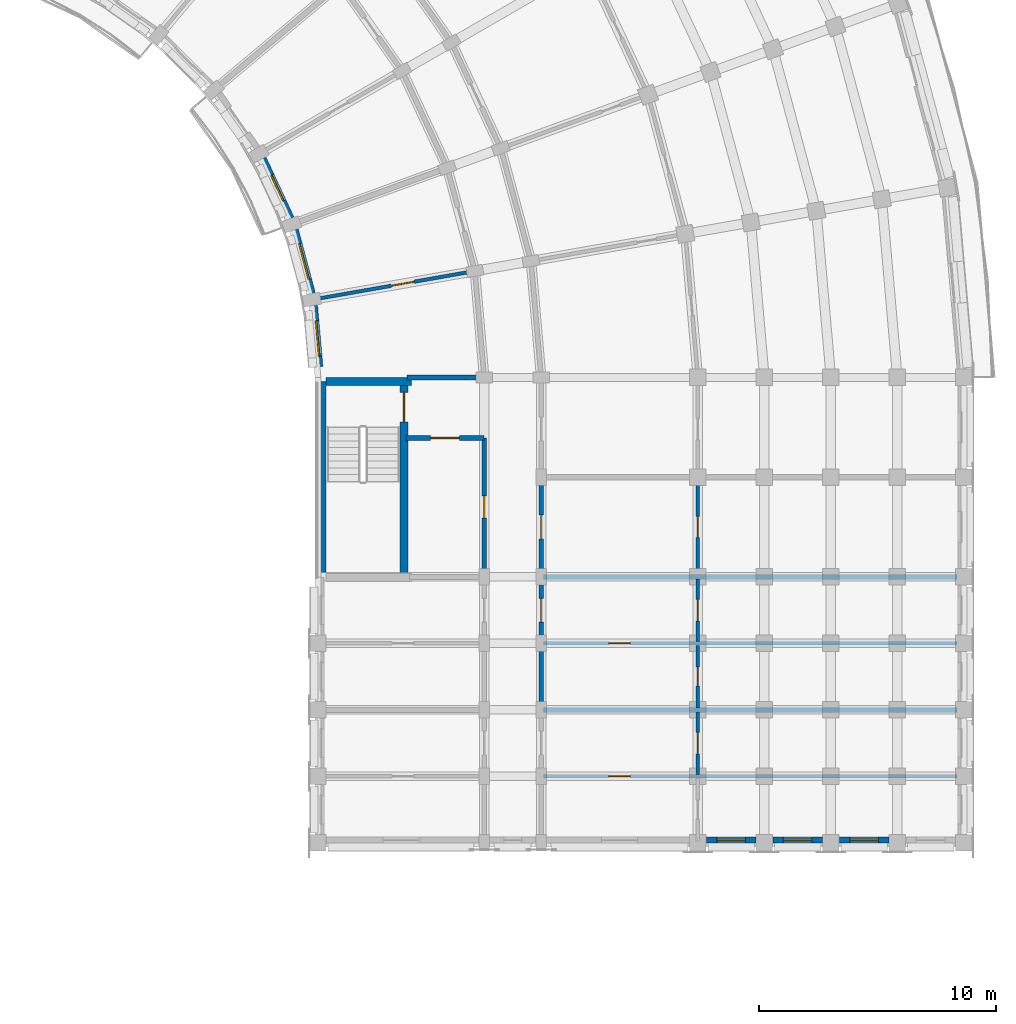
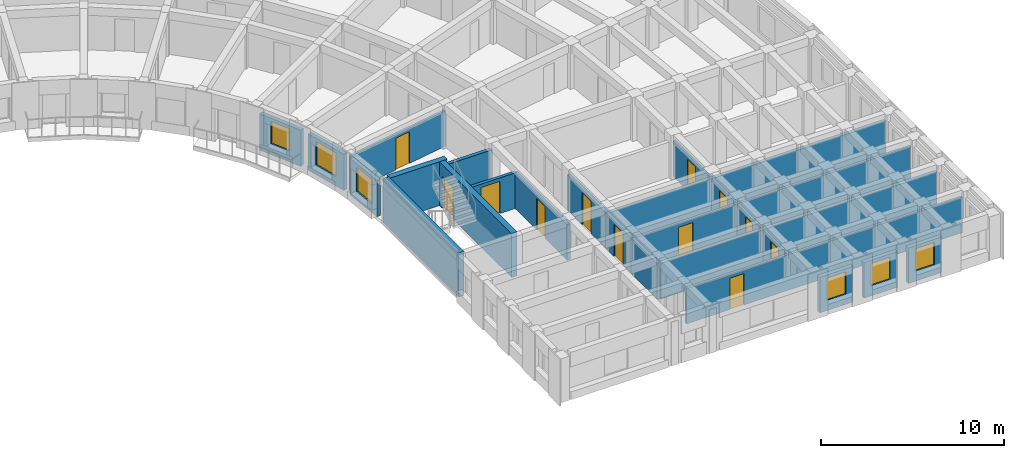
# One storey, part 33 of 57: 24 walls, 12 doors, 6 windows, 18 openings.
"""IFC4 building model written with IfcOpenShell, lengths in metres."""

from ifc_helpers import new_model, si_unit, direction, frame, frame_2d, origin, place, context, subcontext, project, spatial, rectangle, extrude, material, layer, layer_set, type_object, element, fill, save


model = new_model("IFC4")

# Units and contexts
model_context = context("Model", 3, precision=1e-05, world=origin(), true_north=direction((0.0, 1.0)))
body_context = subcontext(model_context, "Body", "Model", "MODEL_VIEW")
ifc_project = project(units=[si_unit("LENGTHUNIT", "METRE"), si_unit("AREAUNIT", "SQUARE_METRE"), si_unit("VOLUMEUNIT", "CUBIC_METRE"), si_unit("PLANEANGLEUNIT", "RADIAN"), si_unit("MASSUNIT", "GRAM", prefix="KILO")], contexts=[model_context])

# Site, building, storey
site_placement = place(None, origin())
site = spatial("IfcSite", under=ifc_project, at=site_placement, CompositionType="ELEMENT")
building_placement = place(site_placement, origin())
building = spatial("IfcBuilding", under=site, at=building_placement, Name="Kiranvali Square Residences", CompositionType="ELEMENT")
storey_placement = place(building_placement, frame((0.0, 0.0, 18.14990234375)))
storey = spatial("IfcBuildingStorey", under=building, at=storey_placement, Name="L05", CompositionType="ELEMENT", Elevation=18.14990234375)

# Wall, opening, door
ifc_material_1 = material(Name="Autoclaved aerated concrete blockwork masonry", Category="masonry")
ifc_layer_1 = layer(ifc_material_1, 0.199951171875)
ifc_layer_set_1 = layer_set([ifc_layer_1], Name="Autoclaved aerated concrete blockwork masonry")
wall_type_1 = type_object("IfcWallType", Name="WL-COR-200", PredefinedType="STANDARD", material=ifc_layer_set_1)
wall_1_placement = place(storey_placement, frame((142.300048828125, 85.25, 0.0), z_axis=(0.0, 0.0, 1.0), x_axis=(1.0, 0.0, 0.0)))
wall_1 = element("IfcWall", 1, at=wall_1_placement, inside=storey, type_object=wall_type_1, Name="L05 architectural wall WL-L05-B-S3-V", PredefinedType="STANDARD", context=body_context, shape_type="SweptSolid", body=[
    extrude(rectangle(XDim=3.300048828125, YDim=0.199951171875, at=frame_2d((1.64990234375, 0.0))), origin(), (0.0, 0.0, 1.0), 2.3720703125),
])
opening_1_placement = place(wall_1_placement, frame((1.0400390625, 0.0, 0.0)))
opening_1 = element("IfcOpeningElement", 2, at=opening_1_placement, cuts=wall_1, Name="Opening FD-COR-60", PredefinedType="OPENING", context=body_context, shape_type="SweptSolid", body=[
    extrude(rectangle(XDim=1.219970703125, YDim=2.14990234375, at=frame_2d((0.60986328125, 1.074951171875))), frame((0.0, 0.10986328125, 0.0), z_axis=(0.0, -1.0, 0.0), x_axis=(1.0, 0.0, 0.0)), (0.0, 0.0, 1.0), 0.219970703125),
])
ifc_material_2 = material(Name="Fire-rated acoustic hardwood and mineral-core door assembly", Category="wood")
door_type_1 = type_object("IfcDoorType", Name="DR-FD60-1200", OperationType="NOTDEFINED", PredefinedType="DOOR", material=ifc_material_2)
door_1_placement = place(opening_1_placement, frame((1.219970703125, 0.0, 0.0), z_axis=(0.0, 0.0, 1.0), x_axis=(-1.0, 0.0, 0.0)))
door_1 = element("IfcDoor", 3, at=door_1_placement, inside=storey, type_object=door_type_1, Name="L05 door DR-L05-1264 (DR-FD60-1200)", OperationType="SINGLE_SWING_RIGHT", OverallHeight=2.14990234375, OverallWidth=1.219970703125, PredefinedType="DOOR", context=body_context, shape_type="SweptSolid", body=[
    extrude(rectangle(XDim=1.219970703125, YDim=2.14990234375, at=frame_2d((0.60986328125, 1.074951171875))), frame((0.0, 0.02490234375, 0.0), z_axis=(0.0, -1.0, 0.0), x_axis=(1.0, 0.0, 0.0)), (0.0, 0.0, 1.0), 0.050048828125),
])
fill(opening_1, door_1)

wall_2_placement = place(storey_placement, frame((145.60009765625, 85.25, 0.0), z_axis=(0.0, 0.0, 1.0), x_axis=(0.0, -1.0, 0.0)))
wall_2 = element("IfcWall", 4, at=wall_2_placement, inside=storey, type_object=wall_type_1, Name="L05 architectural wall WL-L05-B-S3-COR", PredefinedType="STANDARD", context=body_context, shape_type="SweptSolid", body=[
    extrude(rectangle(XDim=5.800048828125, YDim=0.199951171875, at=frame_2d((2.89990234375, 0.0))), origin(), (0.0, 0.0, 1.0), 2.3720703125),
])
opening_2_placement = place(wall_2_placement, frame((2.43994140625, 0.0, 0.0)))
opening_2 = element("IfcOpeningElement", 5, at=opening_2_placement, cuts=wall_2, Name="Opening FD-SVC-120", PredefinedType="OPENING", context=body_context, shape_type="SweptSolid", body=[
    extrude(rectangle(XDim=0.919921875, YDim=2.10009765625, at=frame_2d((0.4599609375, 1.050048828125))), frame((0.0, 0.10986328125, 0.0), z_axis=(0.0, -1.0, 0.0), x_axis=(1.0, 0.0, 0.0)), (0.0, 0.0, 1.0), 0.219970703125),
])
door_type_2 = type_object("IfcDoorType", Name="DR-SVC-900", OperationType="NOTDEFINED", PredefinedType="DOOR", material=ifc_material_2)
door_2_placement = place(opening_2_placement, origin())
door_2 = element("IfcDoor", 6, at=door_2_placement, inside=storey, type_object=door_type_2, Name="L05 door DR-L05-1265 (DR-SVC-900)", OperationType="SINGLE_SWING_LEFT", OverallHeight=2.10009765625, OverallWidth=0.919921875, PredefinedType="DOOR", context=body_context, shape_type="SweptSolid", body=[
    extrude(rectangle(XDim=0.919921875, YDim=2.10009765625, at=frame_2d((0.4599609375, 1.050048828125))), frame((0.0, 0.02490234375, 0.0), z_axis=(0.0, -1.0, 0.0), x_axis=(1.0, 0.0, 0.0)), (0.0, 0.0, 1.0), 0.050048828125),
])
fill(opening_2, door_2)

wall_3_placement = place(storey_placement, frame((148.0, 83.60009765625, 0.0), z_axis=(0.0, 0.0, 1.0), x_axis=(0.0, -1.0, 0.0)))
wall_3 = element("IfcWall", 7, at=wall_3_placement, inside=storey, type_object=wall_type_1, Name="L05 architectural wall WL-L05-B-A2CF-C1", PredefinedType="STANDARD", context=body_context, shape_type="SweptSolid", body=[
    extrude(rectangle(XDim=4.2001953125, YDim=0.199951171875, at=frame_2d((2.10009765625, 0.0))), origin(), (0.0, 0.0, 1.0), 2.3720703125),
])
opening_3_placement = place(wall_3_placement, frame((1.60009765625, 0.0, 0.0)))
opening_3 = element("IfcOpeningElement", 8, at=opening_3_placement, cuts=wall_3, Name="Opening FD-APT-60", PredefinedType="OPENING", context=body_context, shape_type="SweptSolid", body=[
    extrude(rectangle(XDim=1.0, YDim=2.14990234375, at=frame_2d((0.5, 1.074951171875))), frame((0.0, 0.10986328125, 0.0), z_axis=(0.0, -1.0, 0.0), x_axis=(1.0, 0.0, 0.0)), (0.0, 0.0, 1.0), 0.219970703125),
])
door_type_3 = type_object("IfcDoorType", Name="DR-APT-1000", OperationType="NOTDEFINED", PredefinedType="DOOR", material=ifc_material_2)
door_3_placement = place(opening_3_placement, frame((1.0, 0.0, 0.0), z_axis=(0.0, 0.0, 1.0), x_axis=(-1.0, 0.0, 0.0)))
door_3 = element("IfcDoor", 9, at=door_3_placement, inside=storey, type_object=door_type_3, Name="L05 door DR-L05-1312 (DR-APT-1000)", OperationType="SINGLE_SWING_RIGHT", OverallHeight=2.14990234375, OverallWidth=1.0, PredefinedType="DOOR", context=body_context, shape_type="SweptSolid", body=[
    extrude(rectangle(XDim=1.0, YDim=2.14990234375, at=frame_2d((0.5, 1.074951171875))), frame((0.0, 0.02490234375, 0.0), z_axis=(0.0, -1.0, 0.0), x_axis=(1.0, 0.0, 0.0)), (0.0, 0.0, 1.0), 0.050048828125),
])
fill(opening_3, door_3)

wall_4_placement = place(storey_placement, frame((148.0, 79.39990234375, 0.0), z_axis=(0.0, 0.0, 1.0), x_axis=(0.0, -1.0, 0.0)))
wall_4 = element("IfcWall", 10, at=wall_4_placement, inside=storey, type_object=wall_type_1, Name="L05 architectural wall WL-L05-B-A2CO-0", PredefinedType="STANDARD", context=body_context, shape_type="SweptSolid", body=[
    extrude(rectangle(XDim=2.7998046875, YDim=0.199951171875, at=frame_2d((1.39990234375, 0.0))), origin(), (0.0, 0.0, 1.0), 2.3720703125),
])
opening_4_placement = place(wall_4_placement, frame((0.89990234375, 0.0, 0.0)))
opening_4 = element("IfcOpeningElement", 11, at=opening_4_placement, cuts=wall_4, Name="Opening FD-APT-60", PredefinedType="OPENING", context=body_context, shape_type="SweptSolid", body=[
    extrude(rectangle(XDim=1.0, YDim=2.14990234375, at=frame_2d((0.5, 1.074951171875))), frame((0.0, 0.10986328125, 0.0), z_axis=(0.0, -1.0, 0.0), x_axis=(1.0, 0.0, 0.0)), (0.0, 0.0, 1.0), 0.219970703125),
])
door_4_placement = place(opening_4_placement, frame((1.0, 0.0, 0.0), z_axis=(0.0, 0.0, 1.0), x_axis=(-1.0, 0.0, 0.0)))
door_4 = element("IfcDoor", 12, at=door_4_placement, inside=storey, type_object=door_type_3, Name="L05 door DR-L05-1316 (DR-APT-1000)", OperationType="SINGLE_SWING_RIGHT", OverallHeight=2.14990234375, OverallWidth=1.0, PredefinedType="DOOR", context=body_context, shape_type="SweptSolid", body=[
    extrude(rectangle(XDim=1.0, YDim=2.14990234375, at=frame_2d((0.5, 1.074951171875))), frame((0.0, 0.02490234375, 0.0), z_axis=(0.0, -1.0, 0.0), x_axis=(1.0, 0.0, 0.0)), (0.0, 0.0, 1.0), 0.050048828125),
])
fill(opening_4, door_4)

# Walls
wall_5_placement = place(storey_placement, frame((148.0, 76.60009765625, 0.0), z_axis=(0.0, 0.0, 1.0), x_axis=(0.0, -1.0, 0.0)))
element("IfcWall", 13, at=wall_5_placement, inside=storey, type_object=wall_type_1, Name="L05 architectural wall WL-L05-B-A2CO-1", PredefinedType="STANDARD", context=body_context, shape_type="SweptSolid", body=[
    extrude(rectangle(XDim=2.800048828125, YDim=0.199951171875, at=frame_2d((1.39990234375, 0.0))), origin(), (0.0, 0.0, 1.0), 2.3720703125),
])
ifc_layer_2 = layer(ifc_material_1, 0.219970703125)
ifc_layer_set_2 = layer_set([ifc_layer_2], Name="Autoclaved aerated concrete blockwork masonry")
wall_type_2 = type_object("IfcWallType", Name="WL-DEM-220", PredefinedType="STANDARD", material=ifc_layer_set_2)
wall_6_placement = place(storey_placement, frame((142.35009765625, 87.800048828125, 0.0), z_axis=(0.0, 0.0, 1.0), x_axis=(1.0, 0.0, 0.0)))
element("IfcWall", 14, at=wall_6_placement, inside=storey, type_object=wall_type_2, Name="L05 architectural wall WL-L05-B-RADI-9", PredefinedType="STANDARD", context=body_context, shape_type="SweptSolid", body=[
    extrude(rectangle(XDim=3.199951171875, YDim=0.219970703125, at=frame_2d((1.60009765625, 0.0))), origin(), (0.0, 0.0, 1.0), 2.3720703125),
])
for number, where, z_axis, x_axis, name in (
    (15, (148.10009765625, 79.39990234375, 0.0), (0.0, 0.0, 1.0), (1.0, 0.0, 0.0), "L05 architectural wall WL-L05-B-A2TO-0"),
    (16, (148.10009765625, 73.800048828125, 0.0), (0.0, 0.0, 1.0), (1.0, 0.0, 0.0), "L05 architectural wall WL-L05-B-A2TO-2"),
):
    element("IfcWall", number, at=place(storey_placement, frame(where, z_axis=z_axis, x_axis=x_axis)), inside=storey, type_object=wall_type_2, Name=name, PredefinedType="STANDARD", context=body_context, shape_type="SweptSolid", body=[
        extrude(rectangle(XDim=17.419921875, YDim=0.219970703125, at=frame_2d((8.7099609375, 0.0))), origin(), (0.0, 0.0, 1.0), 2.3720703125),
    ])

# Wall, opening, window
ifc_material_3 = material(Name="Breathable lime-rendered clay brick masonry", Category="masonry")
ifc_layer_3 = layer(ifc_material_3, 0.25)
ifc_layer_set_3 = layer_set([ifc_layer_3], Name="Breathable lime-rendered clay brick masonry")
wall_type_3 = type_object("IfcWallType", Name="WL-EXT-250", PredefinedType="STANDARD", material=ifc_layer_set_3)
wall_7_placement = place(storey_placement, frame((136.3017578125, 97.02294921875, 0.0), z_axis=(0.0, 0.0, 1.0), x_axis=(0.422649007088, -0.906293449611, 0.0)))
wall_7 = element("IfcWall", 17, at=wall_7_placement, inside=storey, type_object=wall_type_3, Name="L05 exterior wall B-L05-GDN-06", PredefinedType="STANDARD", context=body_context, shape_type="SweptSolid", body=[
    extrude(rectangle(XDim=2.769775390625, YDim=0.25, at=frame_2d((1.384765625, 0.0))), origin(), (0.0, 0.0, 1.0), 2.422119140625),
])
opening_5_placement = place(wall_7_placement, frame((0.784912109375, 0.0, 0.721923828125)))
opening_5 = element("IfcOpeningElement", 18, at=opening_5_placement, cuts=wall_7, Name="Opening W-06", PredefinedType="OPENING", context=body_context, shape_type="SweptSolid", body=[
    extrude(rectangle(XDim=1.199951171875, YDim=1.5, at=frame_2d((0.60009765625, 0.75))), frame((0.0, 0.135009765625, 0.0), z_axis=(0.0, -1.0, 0.0), x_axis=(1.0, 0.0, 0.0)), (0.0, 0.0, 1.0), 0.27001953125),
])
ifc_material_4 = material(Name="Solar-control low-e double glazing", Category="glass")
window_type_1 = type_object("IfcWindowType", Name="WIN-RES-1200x1500", PartitioningType="SINGLE_PANEL", PredefinedType="WINDOW", material=ifc_material_4)
window_1_placement = place(opening_5_placement, origin())
window_1 = element("IfcWindow", 19, at=window_1_placement, inside=storey, type_object=window_type_1, Name="L05 recessed window B-L05-GDN-06", OverallHeight=1.5, OverallWidth=1.199951171875, PartitioningType="SINGLE_PANEL", PredefinedType="WINDOW", context=body_context, shape_type="SweptSolid", body=[
    extrude(rectangle(XDim=1.199951171875, YDim=1.5, at=frame_2d((0.60009765625, 0.75))), frame((0.0, 0.030029296875, 0.0), z_axis=(0.0, -1.0, 0.0), x_axis=(1.0, 0.0, 0.0)), (0.0, 0.0, 1.0), 0.06005859375),
])
fill(opening_5, window_1)

wall_8_placement = place(storey_placement, frame((137.652587890625, 94.017333984375, 0.0), z_axis=(0.0, 0.0, 1.0), x_axis=(0.25878161084, -0.965935855992, 0.0)))
wall_8 = element("IfcWall", 20, at=wall_8_placement, inside=storey, type_object=wall_type_3, Name="L05 exterior wall B-L05-GDN-07", PredefinedType="STANDARD", context=body_context, shape_type="SweptSolid", body=[
    extrude(rectangle(XDim=2.769775390625, YDim=0.25, at=frame_2d((1.384765625, 0.0))), origin(), (0.0, 0.0, 1.0), 2.422119140625),
])
opening_6_placement = place(wall_8_placement, frame((0.60986328125, 0.0, 0.6220703125)))
opening_6 = element("IfcOpeningElement", 21, at=opening_6_placement, cuts=wall_8, Name="Opening W-18", PredefinedType="OPENING", context=body_context, shape_type="SweptSolid", body=[
    extrude(rectangle(XDim=1.550048828125, YDim=1.60009765625, at=frame_2d((0.77490234375, 0.800048828125))), frame((0.0, 0.135009765625, 0.0), z_axis=(0.0, -1.0, 0.0), x_axis=(1.0, 0.0, 0.0)), (0.0, 0.0, 1.0), 0.27001953125),
])
window_type_2 = type_object("IfcWindowType", Name="WIN-GDN-1550x1600", PartitioningType="DOUBLE_PANEL_VERTICAL", PredefinedType="WINDOW", material=ifc_material_4)
window_2_placement = place(opening_6_placement, origin())
window_2 = element("IfcWindow", 22, at=window_2_placement, inside=storey, type_object=window_type_2, Name="L05 recessed window B-L05-GDN-07", OverallHeight=1.60009765625, OverallWidth=1.550048828125, PartitioningType="DOUBLE_PANEL_VERTICAL", PredefinedType="WINDOW", context=body_context, shape_type="SweptSolid", body=[
    extrude(rectangle(XDim=1.550048828125, YDim=1.60009765625, at=frame_2d((0.77490234375, 0.800048828125))), frame((0.0, 0.030029296875, 0.0), z_axis=(0.0, -1.0, 0.0), x_axis=(1.0, 0.0, 0.0)), (0.0, 0.0, 1.0), 0.06005859375),
])
fill(opening_6, window_2)

wall_9_placement = place(storey_placement, frame((138.4609375, 90.82275390625, 0.0), z_axis=(0.0, 0.0, 1.0), x_axis=(0.087229084652, -0.996188278786, 0.0)))
wall_9 = element("IfcWall", 23, at=wall_9_placement, inside=storey, type_object=wall_type_3, Name="L05 exterior wall B-L05-GDN-08", PredefinedType="STANDARD", context=body_context, shape_type="SweptSolid", body=[
    extrude(rectangle(XDim=2.583251953125, YDim=0.25, at=frame_2d((1.29150390625, 0.0))), origin(), (0.0, 0.0, 1.0), 2.422119140625),
])
opening_7_placement = place(wall_9_placement, frame((0.635009765625, 0.0, 0.572021484375)))
opening_7 = element("IfcOpeningElement", 24, at=opening_7_placement, cuts=wall_9, Name="Opening W-05", PredefinedType="OPENING", context=body_context, shape_type="SweptSolid", body=[
    extrude(rectangle(XDim=1.5, YDim=1.64990234375, at=frame_2d((0.75, 0.824951171875))), frame((0.0, 0.135009765625, 0.0), z_axis=(0.0, -1.0, 0.0), x_axis=(1.0, 0.0, 0.0)), (0.0, 0.0, 1.0), 0.27001953125),
])
window_type_3 = type_object("IfcWindowType", Name="WIN-RES-1500x1650", PartitioningType="DOUBLE_PANEL_VERTICAL", PredefinedType="WINDOW", material=ifc_material_4)
window_3_placement = place(opening_7_placement, origin())
window_3 = element("IfcWindow", 25, at=window_3_placement, inside=storey, type_object=window_type_3, Name="L05 recessed window B-L05-GDN-08", OverallHeight=1.64990234375, OverallWidth=1.5, PartitioningType="DOUBLE_PANEL_VERTICAL", PredefinedType="WINDOW", context=body_context, shape_type="SweptSolid", body=[
    extrude(rectangle(XDim=1.5, YDim=1.64990234375, at=frame_2d((0.75, 0.824951171875))), frame((0.0, 0.030029296875, 0.0), z_axis=(0.0, -1.0, 0.0), x_axis=(1.0, 0.0, 0.0)), (0.0, 0.0, 1.0), 0.06005859375),
])
fill(opening_7, window_3)

wall_10_placement = place(storey_placement, frame((154.95361328125, 68.324951171875, 0.0), z_axis=(0.0, 0.0, 1.0), x_axis=(1.0, 0.0, 0.0)))
wall_10 = element("IfcWall", 26, at=wall_10_placement, inside=storey, type_object=wall_type_3, Name="L05 exterior wall B-L05-A2END-3", PredefinedType="STANDARD", context=body_context, shape_type="SweptSolid", body=[
    extrude(rectangle(XDim=2.0927734375, YDim=0.25, at=frame_2d((1.04638671875, 0.0))), origin(), (0.0, 0.0, 1.0), 2.3720703125),
])
opening_8_placement = place(wall_10_placement, frame((0.446533203125, 0.0, 0.672119140625)))
opening_8 = element("IfcOpeningElement", 27, at=opening_8_placement, cuts=wall_10, Name="Opening W-06", PredefinedType="OPENING", context=body_context, shape_type="SweptSolid", body=[
    extrude(rectangle(XDim=1.199951171875, YDim=1.5, at=frame_2d((0.60009765625, 0.75))), frame((0.0, 0.135009765625, 0.0), z_axis=(0.0, -1.0, 0.0), x_axis=(1.0, 0.0, 0.0)), (0.0, 0.0, 1.0), 0.27001953125),
])
window_4_placement = place(opening_8_placement, origin())
window_4 = element("IfcWindow", 28, at=window_4_placement, inside=storey, type_object=window_type_1, Name="L05 recessed window B-L05-A2END-3", OverallHeight=1.5, OverallWidth=1.199951171875, PartitioningType="SINGLE_PANEL", PredefinedType="WINDOW", context=body_context, shape_type="SweptSolid", body=[
    extrude(rectangle(XDim=1.199951171875, YDim=1.5, at=frame_2d((0.60009765625, 0.75))), frame((0.0, 0.030029296875, 0.0), z_axis=(0.0, -1.0, 0.0), x_axis=(1.0, 0.0, 0.0)), (0.0, 0.0, 1.0), 0.06005859375),
])
fill(opening_8, window_4)

wall_11_placement = place(storey_placement, frame((157.75341796875, 68.324951171875, 0.0), z_axis=(0.0, 0.0, 1.0), x_axis=(1.0, 0.0, 0.0)))
wall_11 = element("IfcWall", 29, at=wall_11_placement, inside=storey, type_object=wall_type_3, Name="L05 exterior wall B-L05-A2END-4", PredefinedType="STANDARD", context=body_context, shape_type="SweptSolid", body=[
    extrude(rectangle(XDim=2.093017578125, YDim=0.25, at=frame_2d((1.04638671875, 0.0))), origin(), (0.0, 0.0, 1.0), 2.3720703125),
])
opening_9_placement = place(wall_11_placement, frame((0.446533203125, 0.0, 0.672119140625)))
opening_9 = element("IfcOpeningElement", 30, at=opening_9_placement, cuts=wall_11, Name="Opening W-06", PredefinedType="OPENING", context=body_context, shape_type="SweptSolid", body=[
    extrude(rectangle(XDim=1.199951171875, YDim=1.5, at=frame_2d((0.60009765625, 0.75))), frame((0.0, 0.135009765625, 0.0), z_axis=(0.0, -1.0, 0.0), x_axis=(1.0, 0.0, 0.0)), (0.0, 0.0, 1.0), 0.27001953125),
])
window_5_placement = place(opening_9_placement, origin())
window_5 = element("IfcWindow", 31, at=window_5_placement, inside=storey, type_object=window_type_1, Name="L05 recessed window B-L05-A2END-4", OverallHeight=1.5, OverallWidth=1.199951171875, PartitioningType="SINGLE_PANEL", PredefinedType="WINDOW", context=body_context, shape_type="SweptSolid", body=[
    extrude(rectangle(XDim=1.199951171875, YDim=1.5, at=frame_2d((0.60009765625, 0.75))), frame((0.0, 0.030029296875, 0.0), z_axis=(0.0, -1.0, 0.0), x_axis=(1.0, 0.0, 0.0)), (0.0, 0.0, 1.0), 0.06005859375),
])
fill(opening_9, window_5)

wall_12_placement = place(storey_placement, frame((160.553466796875, 68.324951171875, 0.0), z_axis=(0.0, 0.0, 1.0), x_axis=(1.0, 0.0, 0.0)))
wall_12 = element("IfcWall", 32, at=wall_12_placement, inside=storey, type_object=wall_type_3, Name="L05 exterior wall B-L05-A2END-5", PredefinedType="STANDARD", context=body_context, shape_type="SweptSolid", body=[
    extrude(rectangle(XDim=2.093017578125, YDim=0.25, at=frame_2d((1.04638671875, 0.0))), origin(), (0.0, 0.0, 1.0), 2.3720703125),
])
opening_10_placement = place(wall_12_placement, frame((0.446533203125, 0.0, 0.672119140625)))
opening_10 = element("IfcOpeningElement", 33, at=opening_10_placement, cuts=wall_12, Name="Opening W-06", PredefinedType="OPENING", context=body_context, shape_type="SweptSolid", body=[
    extrude(rectangle(XDim=1.199951171875, YDim=1.5, at=frame_2d((0.60009765625, 0.75))), frame((0.0, 0.135009765625, 0.0), z_axis=(0.0, -1.0, 0.0), x_axis=(1.0, 0.0, 0.0)), (0.0, 0.0, 1.0), 0.27001953125),
])
window_6_placement = place(opening_10_placement, origin())
window_6 = element("IfcWindow", 34, at=window_6_placement, inside=storey, type_object=window_type_1, Name="L05 recessed window B-L05-A2END-5", OverallHeight=1.5, OverallWidth=1.199951171875, PartitioningType="SINGLE_PANEL", PredefinedType="WINDOW", context=body_context, shape_type="SweptSolid", body=[
    extrude(rectangle(XDim=1.199951171875, YDim=1.5, at=frame_2d((0.60009765625, 0.75))), frame((0.0, 0.030029296875, 0.0), z_axis=(0.0, -1.0, 0.0), x_axis=(1.0, 0.0, 0.0)), (0.0, 0.0, 1.0), 0.06005859375),
])
fill(opening_10, window_6)

# Wall, opening, door
ifc_material_5 = material(Name="Acoustic gypsum board drylined partition", Category="gypsum")
ifc_layer_4 = layer(ifc_material_5, 0.14990234375)
ifc_layer_set_4 = layer_set([ifc_layer_4], Name="Acoustic gypsum board drylined partition")
wall_type_4 = type_object("IfcWallType", Name="WL-PRT-150", PredefinedType="PARTITIONING", material=ifc_layer_set_4)
wall_13_placement = place(storey_placement, frame((138.51123046875, 91.099365234375, 0.0), z_axis=(0.0, 0.0, 1.0), x_axis=(0.984807944945, 0.173647089161, 0.0)))
wall_13 = element("IfcWall", 35, at=wall_13_placement, inside=storey, type_object=wall_type_4, Name="L05 architectural wall WL-L05-B-RADI-8", PredefinedType="PARTITIONING", context=body_context, shape_type="SweptSolid", body=[
    extrude(rectangle(XDim=6.75, YDim=0.14990234375, at=frame_2d((3.375, 0.0))), origin(), (0.0, 0.0, 1.0), 2.3720703125),
])
opening_11_placement = place(wall_13_placement, frame((3.222412109375, 0.0, 0.0)))
opening_11 = element("IfcOpeningElement", 36, at=opening_11_placement, cuts=wall_13, Name="Opening ID-3", PredefinedType="OPENING", context=body_context, shape_type="SweptSolid", body=[
    extrude(rectangle(XDim=0.97998046875, YDim=2.1201171875, at=frame_2d((0.489990234375, 1.06005859375))), frame((0.0, 0.0849609375, 0.0), z_axis=(0.0, -1.0, 0.0), x_axis=(1.0, 0.0, 0.0)), (0.0, 0.0, 1.0), 0.169921875),
])
ifc_material_6 = material(Name="Solid seasoned teak hardwood joinery", Category="wood")
door_type_4 = type_object("IfcDoorType", Name="DR-INT-980", OperationType="NOTDEFINED", PredefinedType="DOOR", material=ifc_material_6)
door_5_placement = place(opening_11_placement, origin())
door_5 = element("IfcDoor", 37, at=door_5_placement, inside=storey, type_object=door_type_4, Name="L05 door DR-L05-1291 (DR-INT-980)", OperationType="SINGLE_SWING_LEFT", OverallHeight=2.1201171875, OverallWidth=0.97998046875, PredefinedType="DOOR", context=body_context, shape_type="SweptSolid", body=[
    extrude(rectangle(XDim=0.97998046875, YDim=2.1201171875, at=frame_2d((0.489990234375, 1.06005859375))), frame((0.0, 0.02490234375, 0.0), z_axis=(0.0, -1.0, 0.0), x_axis=(1.0, 0.0, 0.0)), (0.0, 0.0, 1.0), 0.050048828125),
])
fill(opening_11, door_5)

wall_14_placement = place(storey_placement, frame((154.60009765625, 83.52001953125, 0.0), z_axis=(0.0, 0.0, 1.0), x_axis=(0.0, -1.0, 0.0)))
wall_14 = element("IfcWall", 38, at=wall_14_placement, inside=storey, type_object=wall_type_4, Name="L05 architectural wall WL-L05-B-A2CF-SP1", PredefinedType="PARTITIONING", context=body_context, shape_type="SweptSolid", body=[
    extrude(rectangle(XDim=4.0400390625, YDim=0.14990234375, at=frame_2d((2.02001953125, 0.0))), origin(), (0.0, 0.0, 1.0), 2.3720703125),
])
opening_12_placement = place(wall_14_placement, frame((1.570068359375, 0.0, 0.0)))
opening_12 = element("IfcOpeningElement", 39, at=opening_12_placement, cuts=wall_14, Name="Opening ID-1", PredefinedType="OPENING", context=body_context, shape_type="SweptSolid", body=[
    extrude(rectangle(XDim=0.89990234375, YDim=2.10009765625, at=frame_2d((0.449951171875, 1.050048828125))), frame((0.0, 0.0849609375, 0.0), z_axis=(0.0, -1.0, 0.0), x_axis=(1.0, 0.0, 0.0)), (0.0, 0.0, 1.0), 0.169921875),
])
door_type_5 = type_object("IfcDoorType", Name="DR-INT-900", OperationType="NOTDEFINED", PredefinedType="DOOR", material=ifc_material_6)
door_6_placement = place(opening_12_placement, origin())
door_6 = element("IfcDoor", 40, at=door_6_placement, inside=storey, type_object=door_type_5, Name="L05 door DR-L05-1313 (DR-INT-900)", OperationType="SINGLE_SWING_LEFT", OverallHeight=2.10009765625, OverallWidth=0.89990234375, PredefinedType="DOOR", context=body_context, shape_type="SweptSolid", body=[
    extrude(rectangle(XDim=0.89990234375, YDim=2.10009765625, at=frame_2d((0.449951171875, 1.050048828125))), frame((0.0, 0.02490234375, 0.0), z_axis=(0.0, -1.0, 0.0), x_axis=(1.0, 0.0, 0.0)), (0.0, 0.0, 1.0), 0.050048828125),
])
fill(opening_12, door_6)

wall_15_placement = place(storey_placement, frame((148.10009765625, 76.60009765625, 0.0), z_axis=(0.0, 0.0, 1.0), x_axis=(1.0, 0.0, 0.0)))
wall_15 = element("IfcWall", 41, at=wall_15_placement, inside=storey, type_object=wall_type_4, Name="L05 architectural wall WL-L05-B-A2TO-1", PredefinedType="PARTITIONING", context=body_context, shape_type="SweptSolid", body=[
    extrude(rectangle(XDim=17.419921875, YDim=0.14990234375, at=frame_2d((8.7099609375, 0.0))), origin(), (0.0, 0.0, 1.0), 2.3720703125),
])
opening_13_placement = place(wall_15_placement, frame((2.75, 0.0, 0.0)))
opening_13 = element("IfcOpeningElement", 42, at=opening_13_placement, cuts=wall_15, Name="Opening ID-1", PredefinedType="OPENING", context=body_context, shape_type="SweptSolid", body=[
    extrude(rectangle(XDim=0.89990234375, YDim=2.10009765625, at=frame_2d((0.449951171875, 1.050048828125))), frame((0.0, 0.0849609375, 0.0), z_axis=(0.0, -1.0, 0.0), x_axis=(1.0, 0.0, 0.0)), (0.0, 0.0, 1.0), 0.169921875),
])
door_7_placement = place(opening_13_placement, origin())
door_7 = element("IfcDoor", 43, at=door_7_placement, inside=storey, type_object=door_type_5, Name="L05 door DR-L05-1319 (DR-INT-900)", OperationType="SINGLE_SWING_LEFT", OverallHeight=2.10009765625, OverallWidth=0.89990234375, PredefinedType="DOOR", context=body_context, shape_type="SweptSolid", body=[
    extrude(rectangle(XDim=0.89990234375, YDim=2.10009765625, at=frame_2d((0.449951171875, 1.050048828125))), frame((0.0, 0.02490234375, 0.0), z_axis=(0.0, -1.0, 0.0), x_axis=(1.0, 0.0, 0.0)), (0.0, 0.0, 1.0), 0.050048828125),
])
fill(opening_13, door_7)

wall_16_placement = place(storey_placement, frame((148.10009765625, 71.0, 0.0), z_axis=(0.0, 0.0, 1.0), x_axis=(1.0, 0.0, 0.0)))
wall_16 = element("IfcWall", 44, at=wall_16_placement, inside=storey, type_object=wall_type_4, Name="L05 architectural wall WL-L05-B-A2TO-3", PredefinedType="PARTITIONING", context=body_context, shape_type="SweptSolid", body=[
    extrude(rectangle(XDim=17.419921875, YDim=0.14990234375, at=frame_2d((8.7099609375, 0.0))), origin(), (0.0, 0.0, 1.0), 2.3720703125),
])
opening_14_placement = place(wall_16_placement, frame((2.75, 0.0, 0.0)))
opening_14 = element("IfcOpeningElement", 45, at=opening_14_placement, cuts=wall_16, Name="Opening ID-1", PredefinedType="OPENING", context=body_context, shape_type="SweptSolid", body=[
    extrude(rectangle(XDim=0.89990234375, YDim=2.10009765625, at=frame_2d((0.449951171875, 1.050048828125))), frame((0.0, 0.0849609375, 0.0), z_axis=(0.0, -1.0, 0.0), x_axis=(1.0, 0.0, 0.0)), (0.0, 0.0, 1.0), 0.169921875),
])
door_8_placement = place(opening_14_placement, origin())
door_8 = element("IfcDoor", 46, at=door_8_placement, inside=storey, type_object=door_type_5, Name="L05 door DR-L05-1325 (DR-INT-900)", OperationType="SINGLE_SWING_LEFT", OverallHeight=2.10009765625, OverallWidth=0.89990234375, PredefinedType="DOOR", context=body_context, shape_type="SweptSolid", body=[
    extrude(rectangle(XDim=0.89990234375, YDim=2.10009765625, at=frame_2d((0.449951171875, 1.050048828125))), frame((0.0, 0.02490234375, 0.0), z_axis=(0.0, -1.0, 0.0), x_axis=(1.0, 0.0, 0.0)), (0.0, 0.0, 1.0), 0.050048828125),
])
fill(opening_14, door_8)

# Wall
ifc_material_7 = material(Name="Concrete M50 (50 MPa)", Category="concrete")
ifc_layer_5 = layer(ifc_material_7, 0.35009765625)
ifc_layer_set_5 = layer_set([ifc_layer_5], Name="Concrete M50 (50 MPa)")
wall_type_5 = type_object("IfcWallType", Name="WL-SHR-350", PredefinedType="SHEAR", material=ifc_layer_set_5)
wall_17_placement = place(storey_placement, frame((138.77490234375, 87.625, 0.0), z_axis=(0.0, 0.0, 1.0), x_axis=(0.0, -1.0, 0.0)))
element("IfcWall", 47, at=wall_17_placement, inside=storey, type_object=wall_type_5, Name="Block B core shear wall SW-B3-OUT-L05", PredefinedType="SHEAR", context=body_context, shape_type="SweptSolid", body=[
    extrude(rectangle(XDim=8.25, YDim=0.35009765625, at=frame_2d((4.125, 0.0))), origin(), (0.0, 0.0, 1.0), 2.93017578125),
])

# Wall, opening, door
wall_18_placement = place(storey_placement, frame((142.22509765625, 87.449951171875, 0.0), z_axis=(0.0, 0.0, 1.0), x_axis=(0.0, -1.0, 0.0)))
wall_18 = element("IfcWall", 48, at=wall_18_placement, inside=storey, type_object=wall_type_5, Name="Block B core shear wall SW-B3-IN-L05", PredefinedType="SHEAR", context=body_context, shape_type="SweptSolid", body=[
    extrude(rectangle(XDim=7.89990234375, YDim=0.35009765625, at=frame_2d((3.949951171875, 0.0))), origin(), (0.0, 0.0, 1.0), 2.93017578125),
])
opening_15_placement = place(wall_18_placement, frame((0.280029296875, 0.0, 0.0)))
opening_15 = element("IfcOpeningElement", 49, at=opening_15_placement, cuts=wall_18, Name="Opening FD-ST-120", PredefinedType="OPENING", context=body_context, shape_type="SweptSolid", body=[
    extrude(rectangle(XDim=1.239990234375, YDim=2.14990234375, at=frame_2d((0.6201171875, 1.074951171875))), frame((0.0, 0.18505859375, 0.0), z_axis=(0.0, -1.0, 0.0), x_axis=(1.0, 0.0, 0.0)), (0.0, 0.0, 1.0), 0.3701171875),
])
door_type_6 = type_object("IfcDoorType", Name="DR-FD120-1200", OperationType="NOTDEFINED", PredefinedType="DOOR", material=ifc_material_2)
door_9_placement = place(opening_15_placement, frame((1.239990234375, 0.0, 0.0), z_axis=(0.0, 0.0, 1.0), x_axis=(-1.0, 0.0, 0.0)))
door_9 = element("IfcDoor", 50, at=door_9_placement, inside=storey, type_object=door_type_6, Name="L05 door DR-L05-1260 (DR-FD120-1200)", OperationType="SINGLE_SWING_RIGHT", OverallHeight=2.14990234375, OverallWidth=1.239990234375, PredefinedType="DOOR", context=body_context, shape_type="SweptSolid", body=[
    extrude(rectangle(XDim=1.239990234375, YDim=2.14990234375, at=frame_2d((0.6201171875, 1.074951171875))), frame((0.0, 0.02490234375, 0.0), z_axis=(0.0, -1.0, 0.0), x_axis=(1.0, 0.0, 0.0)), (0.0, 0.0, 1.0), 0.050048828125),
])
fill(opening_15, door_9)

# Wall
wall_19_placement = place(storey_placement, frame((138.949951171875, 87.625, 0.0), z_axis=(0.0, 0.0, 1.0), x_axis=(1.0, 0.0, 0.0)))
element("IfcWall", 51, at=wall_19_placement, inside=storey, type_object=wall_type_5, Name="Block B core shear wall SW-B3-NEAR-L05", PredefinedType="SHEAR", context=body_context, shape_type="SweptSolid", body=[
    extrude(rectangle(XDim=3.60009765625, YDim=0.35009765625, at=frame_2d((1.800048828125, 0.0))), origin(), (0.0, 0.0, 1.0), 2.93017578125),
])

# Wall, opening, door
ifc_layer_6 = layer(ifc_material_1, 0.14990234375)
ifc_layer_set_6 = layer_set([ifc_layer_6], Name="Autoclaved aerated concrete blockwork masonry")
wall_type_6 = type_object("IfcWallType", Name="WL-WET-150", PredefinedType="PLUMBINGWALL", material=ifc_layer_set_6)
wall_20_placement = place(storey_placement, frame((154.60009765625, 79.320068359375, 0.0), z_axis=(0.0, 0.0, 1.0), x_axis=(0.0, -1.0, 0.0)))
wall_20 = element("IfcWall", 52, at=wall_20_placement, inside=storey, type_object=wall_type_6, Name="L05 architectural wall WL-L05-B-A2SP-0", PredefinedType="PLUMBINGWALL", context=body_context, shape_type="SweptSolid", body=[
    extrude(rectangle(XDim=2.64013671875, YDim=0.14990234375, at=frame_2d((1.320068359375, 0.0))), origin(), (0.0, 0.0, 1.0), 2.3720703125),
])
opening_16_placement = place(wall_20_placement, frame((0.8701171875, 0.0, 0.0)))
opening_16 = element("IfcOpeningElement", 53, at=opening_16_placement, cuts=wall_20, Name="Opening ID-1", PredefinedType="OPENING", context=body_context, shape_type="SweptSolid", body=[
    extrude(rectangle(XDim=0.89990234375, YDim=2.10009765625, at=frame_2d((0.449951171875, 1.050048828125))), frame((0.0, 0.0849609375, 0.0), z_axis=(0.0, -1.0, 0.0), x_axis=(1.0, 0.0, 0.0)), (0.0, 0.0, 1.0), 0.169921875),
])
door_10_placement = place(opening_16_placement, origin())
door_10 = element("IfcDoor", 54, at=door_10_placement, inside=storey, type_object=door_type_5, Name="L05 door DR-L05-1315 (DR-INT-900)", OperationType="SINGLE_SWING_LEFT", OverallHeight=2.10009765625, OverallWidth=0.89990234375, PredefinedType="DOOR", context=body_context, shape_type="SweptSolid", body=[
    extrude(rectangle(XDim=0.89990234375, YDim=2.10009765625, at=frame_2d((0.449951171875, 1.050048828125))), frame((0.0, 0.02490234375, 0.0), z_axis=(0.0, -1.0, 0.0), x_axis=(1.0, 0.0, 0.0)), (0.0, 0.0, 1.0), 0.050048828125),
])
fill(opening_16, door_10)

wall_21_placement = place(storey_placement, frame((154.60009765625, 76.52001953125, 0.0), z_axis=(0.0, 0.0, 1.0), x_axis=(0.0, -1.0, 0.0)))
wall_21 = element("IfcWall", 55, at=wall_21_placement, inside=storey, type_object=wall_type_6, Name="L05 architectural wall WL-L05-B-A2SP-1", PredefinedType="PLUMBINGWALL", context=body_context, shape_type="SweptSolid", body=[
    extrude(rectangle(XDim=2.64013671875, YDim=0.14990234375, at=frame_2d((1.320068359375, 0.0))), origin(), (0.0, 0.0, 1.0), 2.3720703125),
])
opening_17_placement = place(wall_21_placement, frame((0.919921875, 0.0, 0.0)))
opening_17 = element("IfcOpeningElement", 56, at=opening_17_placement, cuts=wall_21, Name="Opening ID-WET", PredefinedType="OPENING", context=body_context, shape_type="SweptSolid", body=[
    extrude(rectangle(XDim=0.800048828125, YDim=2.10009765625, at=frame_2d((0.39990234375, 1.050048828125))), frame((0.0, 0.0849609375, 0.0), z_axis=(0.0, -1.0, 0.0), x_axis=(1.0, 0.0, 0.0)), (0.0, 0.0, 1.0), 0.169921875),
])
door_type_7 = type_object("IfcDoorType", Name="DR-WET-800", OperationType="NOTDEFINED", PredefinedType="DOOR", material=ifc_material_6)
door_11_placement = place(opening_17_placement, origin())
door_11 = element("IfcDoor", 57, at=door_11_placement, inside=storey, type_object=door_type_7, Name="L05 door DR-L05-1317 (DR-WET-800)", OperationType="SINGLE_SWING_LEFT", OverallHeight=2.10009765625, OverallWidth=0.800048828125, PredefinedType="DOOR", context=body_context, shape_type="SweptSolid", body=[
    extrude(rectangle(XDim=0.800048828125, YDim=2.10009765625, at=frame_2d((0.39990234375, 1.050048828125))), frame((0.0, 0.02490234375, 0.0), z_axis=(0.0, -1.0, 0.0), x_axis=(1.0, 0.0, 0.0)), (0.0, 0.0, 1.0), 0.050048828125),
])
fill(opening_17, door_11)

wall_22_placement = place(storey_placement, frame((154.60009765625, 73.719970703125, 0.0), z_axis=(0.0, 0.0, 1.0), x_axis=(0.0, -1.0, 0.0)))
wall_22 = element("IfcWall", 58, at=wall_22_placement, inside=storey, type_object=wall_type_6, Name="L05 architectural wall WL-L05-B-A2SP-2", PredefinedType="PLUMBINGWALL", context=body_context, shape_type="SweptSolid", body=[
    extrude(rectangle(XDim=2.639892578125, YDim=0.14990234375, at=frame_2d((1.31982421875, 0.0))), origin(), (0.0, 0.0, 1.0), 2.3720703125),
])
opening_18_placement = place(wall_22_placement, frame((0.8701171875, 0.0, 0.0)))
opening_18 = element("IfcOpeningElement", 59, at=opening_18_placement, cuts=wall_22, Name="Opening ID-1", PredefinedType="OPENING", context=body_context, shape_type="SweptSolid", body=[
    extrude(rectangle(XDim=0.89990234375, YDim=2.10009765625, at=frame_2d((0.449951171875, 1.050048828125))), frame((0.0, 0.0849609375, 0.0), z_axis=(0.0, -1.0, 0.0), x_axis=(1.0, 0.0, 0.0)), (0.0, 0.0, 1.0), 0.169921875),
])
door_12_placement = place(opening_18_placement, origin())
door_12 = element("IfcDoor", 60, at=door_12_placement, inside=storey, type_object=door_type_5, Name="L05 door DR-L05-1321 (DR-INT-900)", OperationType="SINGLE_SWING_LEFT", OverallHeight=2.10009765625, OverallWidth=0.89990234375, PredefinedType="DOOR", context=body_context, shape_type="SweptSolid", body=[
    extrude(rectangle(XDim=0.89990234375, YDim=2.10009765625, at=frame_2d((0.449951171875, 1.050048828125))), frame((0.0, 0.02490234375, 0.0), z_axis=(0.0, -1.0, 0.0), x_axis=(1.0, 0.0, 0.0)), (0.0, 0.0, 1.0), 0.050048828125),
])
fill(opening_18, door_12)

save(model, "model.ifc")
